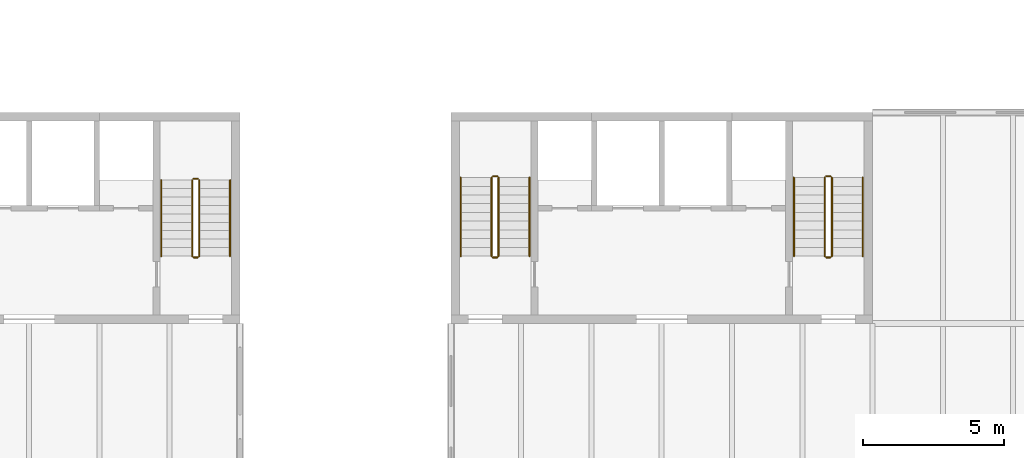
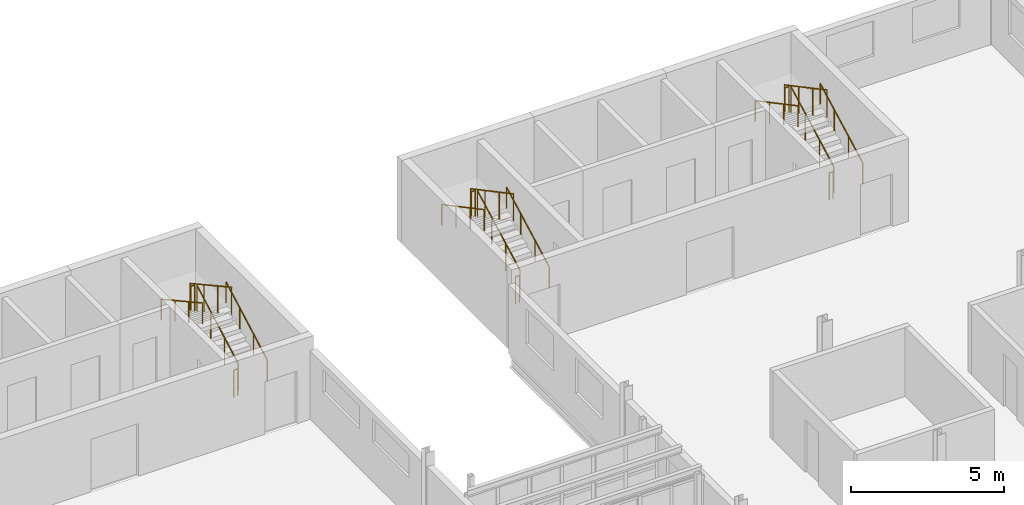
# One storey, part 202 of 214: 18 railings.
"""IFC4 building model written with IfcOpenShell, lengths in metres."""

from ifc_helpers import new_model, si_unit, direction, frame, origin, origin_2d, place, context, subcontext, project, spatial, circle, extrude, material, type_object, element, save


model = new_model("IFC4")

# Units and contexts
model_context = context("Model", 3, precision=1e-05, world=origin(), true_north=direction((0.0, 1.0)))
body_context = subcontext(model_context, "Body", "Model", "MODEL_VIEW")
ifc_project = project(units=[si_unit("LENGTHUNIT", "METRE"), si_unit("AREAUNIT", "SQUARE_METRE"), si_unit("VOLUMEUNIT", "CUBIC_METRE"), si_unit("PLANEANGLEUNIT", "RADIAN"), si_unit("MASSUNIT", "GRAM", prefix="KILO")], contexts=[model_context])

# Site, building, storey
site_placement = place(None, origin())
site = spatial("IfcSite", under=ifc_project, at=site_placement, CompositionType="ELEMENT")
building_placement = place(site_placement, origin())
building = spatial("IfcBuilding", under=site, at=building_placement, Name="Parallax Yard Mobility Hub", CompositionType="ELEMENT")
storey_placement = place(building_placement, frame((0.0, 0.0, 3.300048828125)))
storey = spatial("IfcBuildingStorey", under=building, at=storey_placement, Name="L01", CompositionType="ELEMENT", Elevation=3.300048828125)

# Railings
ifc_material = material(Name="Steel ASTM A36", Category="steel")
railing_type_1 = type_object("IfcRailingType", Name="Stair guard 1100", PredefinedType="GUARDRAIL", material=ifc_material)
railing_1_placement = place(storey_placement, frame((141.050048828125, 47.39990234375, 0.1650390625)))
element("IfcRailing", 1, at=railing_1_placement, inside=storey, type_object=railing_type_1, Name="L01 ST14 stair guard 1", PredefinedType="GUARDRAIL", context=body_context, shape_type="SweptSolid", body=[
    extrude(circle(Radius=0.02392578125, at=origin_2d()), frame((0.0, 0.0, 1.076171875), z_axis=(0.0, 0.876249361297, 0.481857921827), x_axis=(-1.0, 0.0, 0.0)), (0.0, 0.0, 1.0), 3.08154296875),
    extrude(circle(Radius=0.02099609375, at=origin_2d()), origin(), (0.0, 0.0, 1.0), 1.052001953125),
    extrude(circle(Radius=0.02099609375, at=origin_2d()), frame((0.0, 0.900146484375, 0.494873046875)), (0.0, 0.0, 1.0), 1.052001953125),
    extrude(circle(Radius=0.02099609375, at=origin_2d()), frame((0.0, 1.800048828125, 0.989990234375)), (0.0, 0.0, 1.0), 1.052001953125),
    extrude(circle(Radius=0.02099609375, at=origin_2d()), frame((0.0, 2.7001953125, 1.48486328125)), (0.0, 0.0, 1.0), 1.052001953125),
])
railing_2_placement = place(storey_placement, frame((141.0, 50.14990234375, 1.64990234375)))
element("IfcRailing", 2, at=railing_2_placement, inside=storey, type_object=railing_type_1, Name="L01 ST14 stair guard 2", PredefinedType="GUARDRAIL", context=body_context, shape_type="SweptSolid", body=[
    extrude(circle(Radius=0.02392578125, at=origin_2d()), frame((0.0, 0.0, 1.076171875), z_axis=(-1.0, 0.0, 0.0), x_axis=(0.0, -1.0, 0.0)), (0.0, 0.0, 1.0), 0.14990234375),
    extrude(circle(Radius=0.02099609375, at=origin_2d()), origin(), (0.0, 0.0, 1.0), 1.052001953125),
    extrude(circle(Radius=0.02099609375, at=origin_2d()), frame((-0.14990234375, 0.0, 0.0)), (0.0, 0.0, 1.0), 1.052001953125),
])
railing_3_placement = place(storey_placement, frame((140.800048828125, 50.10009765625, 1.81494140625)))
element("IfcRailing", 3, at=railing_3_placement, inside=storey, type_object=railing_type_1, Name="L01 ST14 stair guard 3", PredefinedType="GUARDRAIL", context=body_context, shape_type="SweptSolid", body=[
    extrude(circle(Radius=0.02392578125, at=origin_2d()), frame((0.0, 0.0, 1.076171875), z_axis=(0.0, -0.876215908677, 0.481918749772), x_axis=(1.0, 0.0, 0.0)), (0.0, 0.0, 1.0), 3.08154296875),
    extrude(circle(Radius=0.02099609375, at=origin_2d()), origin(), (0.0, 0.0, 1.0), 1.052001953125),
    extrude(circle(Radius=0.02099609375, at=origin_2d()), frame((0.0, -0.900146484375, 0.4951171875)), (0.0, 0.0, 1.0), 1.052001953125),
    extrude(circle(Radius=0.02099609375, at=origin_2d()), frame((0.0, -1.800048828125, 0.989990234375)), (0.0, 0.0, 1.0), 1.052001953125),
    extrude(circle(Radius=0.02099609375, at=origin_2d()), frame((0.0, -2.7001953125, 1.485107421875)), (0.0, 0.0, 1.0), 1.052001953125),
])
railing_4_placement = place(storey_placement, frame((141.0, 47.35009765625, 0.0)))
element("IfcRailing", 4, at=railing_4_placement, inside=storey, type_object=railing_type_1, Name="L01 ST14 stair guard 4", PredefinedType="GUARDRAIL", context=body_context, shape_type="SweptSolid", body=[
    extrude(circle(Radius=0.02392578125, at=origin_2d()), frame((0.0, 0.0, 1.076171875), z_axis=(-1.0, 0.0, 0.0), x_axis=(0.0, -1.0, 0.0)), (0.0, 0.0, 1.0), 0.14990234375),
    extrude(circle(Radius=0.02099609375, at=origin_2d()), origin(), (0.0, 0.0, 1.0), 1.052001953125),
    extrude(circle(Radius=0.02099609375, at=origin_2d()), frame((-0.14990234375, 0.0, 0.0)), (0.0, 0.0, 1.0), 1.052001953125),
])
railing_5_placement = place(storey_placement, frame((151.699951171875, 47.39990234375, 0.1650390625)))
element("IfcRailing", 5, at=railing_5_placement, inside=storey, type_object=railing_type_1, Name="L01 ST15 stair guard 1", PredefinedType="GUARDRAIL", context=body_context, shape_type="SweptSolid", body=[
    extrude(circle(Radius=0.02392578125, at=origin_2d()), frame((0.0, 0.0, 1.076171875), z_axis=(0.0, 0.882767428149, 0.469810246588), x_axis=(-1.0, 0.0, 0.0)), (0.0, 0.0, 1.0), 3.16064453125),
    extrude(circle(Radius=0.02099609375, at=origin_2d()), origin(), (0.0, 0.0, 1.0), 1.052001953125),
    extrude(circle(Radius=0.02099609375, at=origin_2d()), frame((0.0, 0.929931640625, 0.494873046875)), (0.0, 0.0, 1.0), 1.052001953125),
    extrude(circle(Radius=0.02099609375, at=origin_2d()), frame((0.0, 1.860107421875, 0.989990234375)), (0.0, 0.0, 1.0), 1.052001953125),
    extrude(circle(Radius=0.02099609375, at=origin_2d()), frame((0.0, 2.7900390625, 1.48486328125)), (0.0, 0.0, 1.0), 1.052001953125),
])
railing_6_placement = place(storey_placement, frame((151.64990234375, 50.239990234375, 1.64990234375)))
element("IfcRailing", 6, at=railing_6_placement, inside=storey, type_object=railing_type_1, Name="L01 ST15 stair guard 2", PredefinedType="GUARDRAIL", context=body_context, shape_type="SweptSolid", body=[
    extrude(circle(Radius=0.02392578125, at=origin_2d()), frame((0.0, 0.0, 1.076171875), z_axis=(-1.0, 0.0, 0.0), x_axis=(0.0, -1.0, 0.0)), (0.0, 0.0, 1.0), 0.14990234375),
    extrude(circle(Radius=0.02099609375, at=origin_2d()), origin(), (0.0, 0.0, 1.0), 1.052001953125),
    extrude(circle(Radius=0.02099609375, at=origin_2d()), frame((-0.14990234375, 0.0, 0.0)), (0.0, 0.0, 1.0), 1.052001953125),
])
railing_7_placement = place(storey_placement, frame((151.449951171875, 50.18994140625, 1.81494140625)))
element("IfcRailing", 7, at=railing_7_placement, inside=storey, type_object=railing_type_1, Name="L01 ST15 stair guard 3", PredefinedType="GUARDRAIL", context=body_context, shape_type="SweptSolid", body=[
    extrude(circle(Radius=0.02392578125, at=origin_2d()), frame((0.0, 0.0, 1.076171875), z_axis=(0.0, -0.882735390775, 0.469870439454), x_axis=(1.0, 0.0, 0.0)), (0.0, 0.0, 1.0), 3.16064453125),
    extrude(circle(Radius=0.02099609375, at=origin_2d()), origin(), (0.0, 0.0, 1.0), 1.052001953125),
    extrude(circle(Radius=0.02099609375, at=origin_2d()), frame((0.0, -0.929931640625, 0.4951171875)), (0.0, 0.0, 1.0), 1.052001953125),
    extrude(circle(Radius=0.02099609375, at=origin_2d()), frame((0.0, -1.860107421875, 0.989990234375)), (0.0, 0.0, 1.0), 1.052001953125),
    extrude(circle(Radius=0.02099609375, at=origin_2d()), frame((0.0, -2.7900390625, 1.485107421875)), (0.0, 0.0, 1.0), 1.052001953125),
])
railing_8_placement = place(storey_placement, frame((151.64990234375, 47.35009765625, 0.0)))
element("IfcRailing", 8, at=railing_8_placement, inside=storey, type_object=railing_type_1, Name="L01 ST15 stair guard 4", PredefinedType="GUARDRAIL", context=body_context, shape_type="SweptSolid", body=[
    extrude(circle(Radius=0.02392578125, at=origin_2d()), frame((0.0, 0.0, 1.076171875), z_axis=(-1.0, 0.0, 0.0), x_axis=(0.0, -1.0, 0.0)), (0.0, 0.0, 1.0), 0.14990234375),
    extrude(circle(Radius=0.02099609375, at=origin_2d()), origin(), (0.0, 0.0, 1.0), 1.052001953125),
    extrude(circle(Radius=0.02099609375, at=origin_2d()), frame((-0.14990234375, 0.0, 0.0)), (0.0, 0.0, 1.0), 1.052001953125),
])
railing_9_placement = place(storey_placement, frame((163.550048828125, 47.39990234375, 0.1650390625)))
element("IfcRailing", 9, at=railing_9_placement, inside=storey, type_object=railing_type_1, Name="L01 ST16 stair guard 1", PredefinedType="GUARDRAIL", context=body_context, shape_type="SweptSolid", body=[
    extrude(circle(Radius=0.02392578125, at=origin_2d()), frame((0.0, 0.0, 1.076171875), z_axis=(0.0, 0.882767428149, 0.469810246588), x_axis=(-1.0, 0.0, 0.0)), (0.0, 0.0, 1.0), 3.16064453125),
    extrude(circle(Radius=0.02099609375, at=origin_2d()), origin(), (0.0, 0.0, 1.0), 1.052001953125),
    extrude(circle(Radius=0.02099609375, at=origin_2d()), frame((0.0, 0.929931640625, 0.494873046875)), (0.0, 0.0, 1.0), 1.052001953125),
    extrude(circle(Radius=0.02099609375, at=origin_2d()), frame((0.0, 1.860107421875, 0.989990234375)), (0.0, 0.0, 1.0), 1.052001953125),
    extrude(circle(Radius=0.02099609375, at=origin_2d()), frame((0.0, 2.7900390625, 1.48486328125)), (0.0, 0.0, 1.0), 1.052001953125),
])
railing_10_placement = place(storey_placement, frame((163.5, 50.239990234375, 1.64990234375)))
element("IfcRailing", 10, at=railing_10_placement, inside=storey, type_object=railing_type_1, Name="L01 ST16 stair guard 2", PredefinedType="GUARDRAIL", context=body_context, shape_type="SweptSolid", body=[
    extrude(circle(Radius=0.02392578125, at=origin_2d()), frame((0.0, 0.0, 1.076171875), z_axis=(-1.0, 0.0, 0.0), x_axis=(0.0, -1.0, 0.0)), (0.0, 0.0, 1.0), 0.14990234375),
    extrude(circle(Radius=0.02099609375, at=origin_2d()), origin(), (0.0, 0.0, 1.0), 1.052001953125),
    extrude(circle(Radius=0.02099609375, at=origin_2d()), frame((-0.14990234375, 0.0, 0.0)), (0.0, 0.0, 1.0), 1.052001953125),
])
railing_11_placement = place(storey_placement, frame((163.300048828125, 50.18994140625, 1.81494140625)))
element("IfcRailing", 11, at=railing_11_placement, inside=storey, type_object=railing_type_1, Name="L01 ST16 stair guard 3", PredefinedType="GUARDRAIL", context=body_context, shape_type="SweptSolid", body=[
    extrude(circle(Radius=0.02392578125, at=origin_2d()), frame((0.0, 0.0, 1.076171875), z_axis=(0.0, -0.882735390775, 0.469870439454), x_axis=(1.0, 0.0, 0.0)), (0.0, 0.0, 1.0), 3.16064453125),
    extrude(circle(Radius=0.02099609375, at=origin_2d()), origin(), (0.0, 0.0, 1.0), 1.052001953125),
    extrude(circle(Radius=0.02099609375, at=origin_2d()), frame((0.0, -0.929931640625, 0.4951171875)), (0.0, 0.0, 1.0), 1.052001953125),
    extrude(circle(Radius=0.02099609375, at=origin_2d()), frame((0.0, -1.860107421875, 0.989990234375)), (0.0, 0.0, 1.0), 1.052001953125),
    extrude(circle(Radius=0.02099609375, at=origin_2d()), frame((0.0, -2.7900390625, 1.485107421875)), (0.0, 0.0, 1.0), 1.052001953125),
])
railing_12_placement = place(storey_placement, frame((163.5, 47.35009765625, 0.0)))
element("IfcRailing", 12, at=railing_12_placement, inside=storey, type_object=railing_type_1, Name="L01 ST16 stair guard 4", PredefinedType="GUARDRAIL", context=body_context, shape_type="SweptSolid", body=[
    extrude(circle(Radius=0.02392578125, at=origin_2d()), frame((0.0, 0.0, 1.076171875), z_axis=(-1.0, 0.0, 0.0), x_axis=(0.0, -1.0, 0.0)), (0.0, 0.0, 1.0), 0.14990234375),
    extrude(circle(Radius=0.02099609375, at=origin_2d()), origin(), (0.0, 0.0, 1.0), 1.052001953125),
    extrude(circle(Radius=0.02099609375, at=origin_2d()), frame((-0.14990234375, 0.0, 0.0)), (0.0, 0.0, 1.0), 1.052001953125),
])
railing_type_2 = type_object("IfcRailingType", Name="Stair handrail", PredefinedType="HANDRAIL", material=ifc_material)
railing_13_placement = place(storey_placement, frame((142.14990234375, 47.39990234375, 0.1650390625)))
element("IfcRailing", 13, at=railing_13_placement, inside=storey, type_object=railing_type_2, Name="L01 ST14 stair handrail 1", PredefinedType="HANDRAIL", context=body_context, shape_type="SweptSolid", body=[
    extrude(circle(Radius=0.02392578125, at=origin_2d()), frame((0.0, 0.0, 0.8310546875), z_axis=(0.0, 0.876249361297, 0.481857921827), x_axis=(-1.0, 0.0, 0.0)), (0.0, 0.0, 1.0), 3.08154296875),
    extrude(circle(Radius=0.02099609375, at=origin_2d()), origin(), (0.0, 0.0, 1.0), 0.806884765625),
    extrude(circle(Radius=0.02099609375, at=origin_2d()), frame((0.0, 0.900146484375, 0.494873046875)), (0.0, 0.0, 1.0), 0.806884765625),
    extrude(circle(Radius=0.02099609375, at=origin_2d()), frame((0.0, 1.800048828125, 0.989990234375)), (0.0, 0.0, 1.0), 0.806884765625),
    extrude(circle(Radius=0.02099609375, at=origin_2d()), frame((0.0, 2.7001953125, 1.48486328125)), (0.0, 0.0, 1.0), 0.806884765625),
])
railing_14_placement = place(storey_placement, frame((139.699951171875, 50.10009765625, 1.81494140625)))
element("IfcRailing", 14, at=railing_14_placement, inside=storey, type_object=railing_type_2, Name="L01 ST14 stair handrail 2", PredefinedType="HANDRAIL", context=body_context, shape_type="SweptSolid", body=[
    extrude(circle(Radius=0.02392578125, at=origin_2d()), frame((0.0, 0.0, 0.8310546875), z_axis=(0.0, -0.876215908677, 0.481918749772), x_axis=(1.0, 0.0, 0.0)), (0.0, 0.0, 1.0), 3.08154296875),
    extrude(circle(Radius=0.02099609375, at=origin_2d()), origin(), (0.0, 0.0, 1.0), 0.806884765625),
    extrude(circle(Radius=0.02099609375, at=origin_2d()), frame((0.0, -0.900146484375, 0.4951171875)), (0.0, 0.0, 1.0), 0.806884765625),
    extrude(circle(Radius=0.02099609375, at=origin_2d()), frame((0.0, -1.800048828125, 0.989990234375)), (0.0, 0.0, 1.0), 0.806884765625),
    extrude(circle(Radius=0.02099609375, at=origin_2d()), frame((0.0, -2.7001953125, 1.485107421875)), (0.0, 0.0, 1.0), 0.806884765625),
])
railing_15_placement = place(storey_placement, frame((152.800048828125, 47.39990234375, 0.1650390625)))
element("IfcRailing", 15, at=railing_15_placement, inside=storey, type_object=railing_type_2, Name="L01 ST15 stair handrail 1", PredefinedType="HANDRAIL", context=body_context, shape_type="SweptSolid", body=[
    extrude(circle(Radius=0.02392578125, at=origin_2d()), frame((0.0, 0.0, 0.8310546875), z_axis=(0.0, 0.882767428149, 0.469810246588), x_axis=(-1.0, 0.0, 0.0)), (0.0, 0.0, 1.0), 3.16064453125),
    extrude(circle(Radius=0.02099609375, at=origin_2d()), origin(), (0.0, 0.0, 1.0), 0.806884765625),
    extrude(circle(Radius=0.02099609375, at=origin_2d()), frame((0.0, 0.929931640625, 0.494873046875)), (0.0, 0.0, 1.0), 0.806884765625),
    extrude(circle(Radius=0.02099609375, at=origin_2d()), frame((0.0, 1.860107421875, 0.989990234375)), (0.0, 0.0, 1.0), 0.806884765625),
    extrude(circle(Radius=0.02099609375, at=origin_2d()), frame((0.0, 2.7900390625, 1.48486328125)), (0.0, 0.0, 1.0), 0.806884765625),
])
railing_16_placement = place(storey_placement, frame((150.35009765625, 50.18994140625, 1.81494140625)))
element("IfcRailing", 16, at=railing_16_placement, inside=storey, type_object=railing_type_2, Name="L01 ST15 stair handrail 2", PredefinedType="HANDRAIL", context=body_context, shape_type="SweptSolid", body=[
    extrude(circle(Radius=0.02392578125, at=origin_2d()), frame((0.0, 0.0, 0.8310546875), z_axis=(0.0, -0.882735390775, 0.469870439454), x_axis=(1.0, 0.0, 0.0)), (0.0, 0.0, 1.0), 3.16064453125),
    extrude(circle(Radius=0.02099609375, at=origin_2d()), origin(), (0.0, 0.0, 1.0), 0.806884765625),
    extrude(circle(Radius=0.02099609375, at=origin_2d()), frame((0.0, -0.929931640625, 0.4951171875)), (0.0, 0.0, 1.0), 0.806884765625),
    extrude(circle(Radius=0.02099609375, at=origin_2d()), frame((0.0, -1.860107421875, 0.989990234375)), (0.0, 0.0, 1.0), 0.806884765625),
    extrude(circle(Radius=0.02099609375, at=origin_2d()), frame((0.0, -2.7900390625, 1.485107421875)), (0.0, 0.0, 1.0), 0.806884765625),
])
railing_17_placement = place(storey_placement, frame((164.64990234375, 47.39990234375, 0.1650390625)))
element("IfcRailing", 17, at=railing_17_placement, inside=storey, type_object=railing_type_2, Name="L01 ST16 stair handrail 1", PredefinedType="HANDRAIL", context=body_context, shape_type="SweptSolid", body=[
    extrude(circle(Radius=0.02392578125, at=origin_2d()), frame((0.0, 0.0, 0.8310546875), z_axis=(0.0, 0.882767428149, 0.469810246588), x_axis=(-1.0, 0.0, 0.0)), (0.0, 0.0, 1.0), 3.16064453125),
    extrude(circle(Radius=0.02099609375, at=origin_2d()), origin(), (0.0, 0.0, 1.0), 0.806884765625),
    extrude(circle(Radius=0.02099609375, at=origin_2d()), frame((0.0, 0.929931640625, 0.494873046875)), (0.0, 0.0, 1.0), 0.806884765625),
    extrude(circle(Radius=0.02099609375, at=origin_2d()), frame((0.0, 1.860107421875, 0.989990234375)), (0.0, 0.0, 1.0), 0.806884765625),
    extrude(circle(Radius=0.02099609375, at=origin_2d()), frame((0.0, 2.7900390625, 1.48486328125)), (0.0, 0.0, 1.0), 0.806884765625),
])
railing_18_placement = place(storey_placement, frame((162.199951171875, 50.18994140625, 1.81494140625)))
element("IfcRailing", 18, at=railing_18_placement, inside=storey, type_object=railing_type_2, Name="L01 ST16 stair handrail 2", PredefinedType="HANDRAIL", context=body_context, shape_type="SweptSolid", body=[
    extrude(circle(Radius=0.02392578125, at=origin_2d()), frame((0.0, 0.0, 0.8310546875), z_axis=(0.0, -0.882735390775, 0.469870439454), x_axis=(1.0, 0.0, 0.0)), (0.0, 0.0, 1.0), 3.16064453125),
    extrude(circle(Radius=0.02099609375, at=origin_2d()), origin(), (0.0, 0.0, 1.0), 0.806884765625),
    extrude(circle(Radius=0.02099609375, at=origin_2d()), frame((0.0, -0.929931640625, 0.4951171875)), (0.0, 0.0, 1.0), 0.806884765625),
    extrude(circle(Radius=0.02099609375, at=origin_2d()), frame((0.0, -1.860107421875, 0.989990234375)), (0.0, 0.0, 1.0), 0.806884765625),
    extrude(circle(Radius=0.02099609375, at=origin_2d()), frame((0.0, -2.7900390625, 1.485107421875)), (0.0, 0.0, 1.0), 0.806884765625),
])

save(model, "model.ifc")
